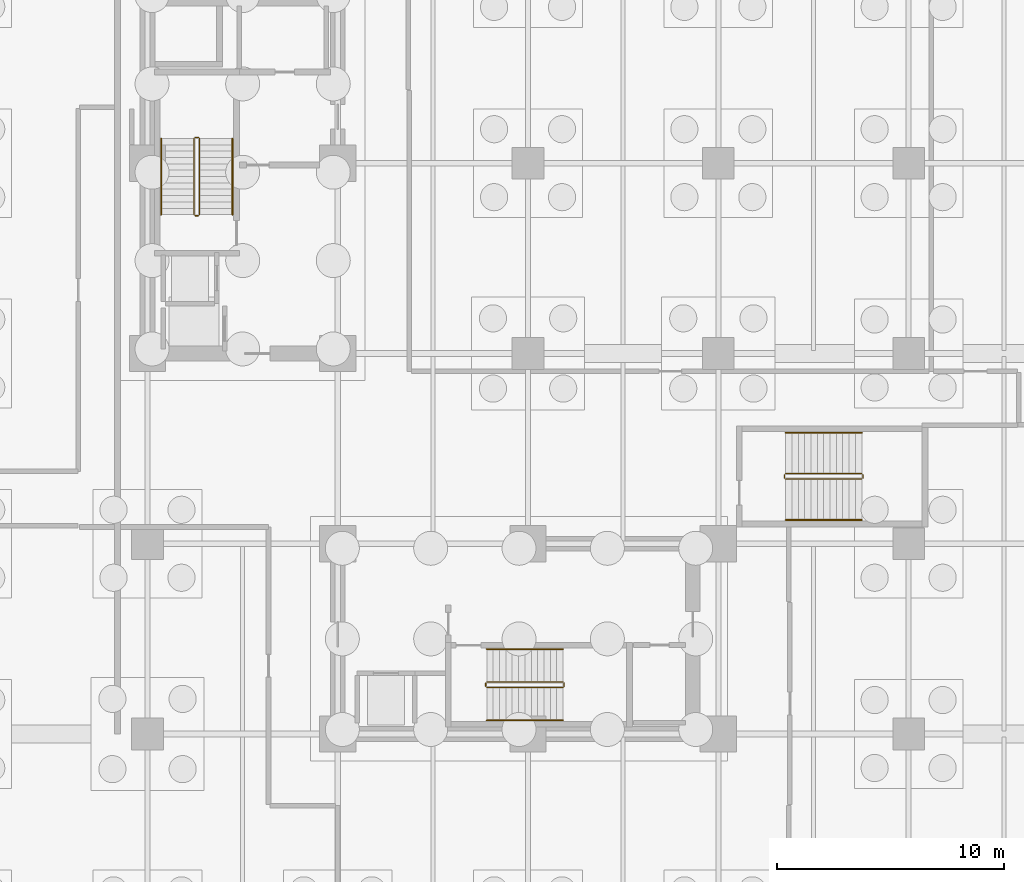
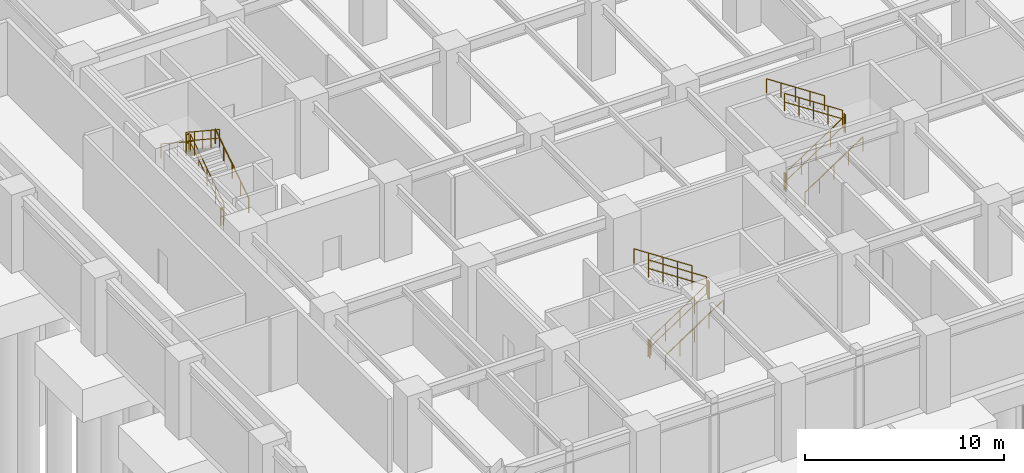
# One storey, part 8 of 9: 18 railings.
"""IFC4 building model written with IfcOpenShell, lengths in metres."""

from ifc_helpers import new_model, si_unit, direction, frame, origin, origin_2d, place, context, subcontext, project, spatial, circle, extrude, material, type_object, element, save


model = new_model("IFC4")

# Units and contexts
model_context = context("Model", 3, precision=1e-05, world=origin(), true_north=direction((0.0, 1.0)))
body_context = subcontext(model_context, "Body", "Model", "MODEL_VIEW")
ifc_project = project(units=[si_unit("LENGTHUNIT", "METRE"), si_unit("AREAUNIT", "SQUARE_METRE"), si_unit("VOLUMEUNIT", "CUBIC_METRE"), si_unit("PLANEANGLEUNIT", "RADIAN"), si_unit("MASSUNIT", "GRAM", prefix="KILO")], contexts=[model_context])

# Site, building, storey
site_placement = place(None, origin())
site = spatial("IfcSite", under=ifc_project, at=site_placement, CompositionType="ELEMENT")
building_placement = place(site_placement, origin())
building = spatial("IfcBuilding", under=site, at=building_placement, Name="Nerrivon Quay Data Exchange", CompositionType="ELEMENT")
storey_placement = place(building_placement, frame((0.0, 0.0, -9.60009765625)))
storey = spatial("IfcBuildingStorey", under=building, at=storey_placement, Name="B02", CompositionType="ELEMENT", Elevation=-9.60009765625)

# Railings
ifc_material = material(Name="Steel Grade C350L0 (350 MPa)", Category="steel")
railing_type_1 = type_object("IfcRailingType", Name="RAIL-HAND-HR1", PredefinedType="HANDRAIL", material=ifc_material)
railing_1_placement = place(storey_placement, frame((12.14990234375, 31.330078125, 0.184814453125)))
element("IfcRailing", 1, at=railing_1_placement, inside=storey, type_object=railing_type_1, Name="B02 ST01 stair handrail 1", PredefinedType="HANDRAIL", context=body_context, shape_type="SweptSolid", body=[
    extrude(circle(Radius=0.02392578125, at=origin_2d()), frame((0.0, 0.0, 0.8759765625), z_axis=(0.0, 0.834858096282, 0.550465220583), x_axis=(-1.0, 0.0, 0.0)), (0.0, 0.0, 1.0), 4.0244140625),
    extrude(circle(Radius=0.02099609375, at=origin_2d()), origin(), (0.0, 0.0, 1.0), 0.851806640625),
    extrude(circle(Radius=0.02099609375, at=origin_2d()), frame((0.0, 0.83984375, 0.5537109375)), (0.0, 0.0, 1.0), 0.851806640625),
    extrude(circle(Radius=0.02099609375, at=origin_2d()), frame((0.0, 1.679931640625, 1.107666015625)), (0.0, 0.0, 1.0), 0.851806640625),
    extrude(circle(Radius=0.02099609375, at=origin_2d()), frame((0.0, 2.52001953125, 1.66162109375)), (0.0, 0.0, 1.0), 0.851806640625),
    extrude(circle(Radius=0.02099609375, at=origin_2d()), frame((0.0, 3.35986328125, 2.21533203125)), (0.0, 0.0, 1.0), 0.851806640625),
])
railing_2_placement = place(storey_placement, frame((9.0, 34.68994140625, 2.584716796875)))
element("IfcRailing", 2, at=railing_2_placement, inside=storey, type_object=railing_type_1, Name="B02 ST01 stair handrail 2", PredefinedType="HANDRAIL", context=body_context, shape_type="SweptSolid", body=[
    extrude(circle(Radius=0.02392578125, at=origin_2d()), frame((0.0, 0.0, 0.8759765625), z_axis=(0.0, -0.834858096282, 0.550465220583), x_axis=(1.0, 0.0, 0.0)), (0.0, 0.0, 1.0), 4.0244140625),
    extrude(circle(Radius=0.02099609375, at=origin_2d()), origin(), (0.0, 0.0, 1.0), 0.851806640625),
    extrude(circle(Radius=0.02099609375, at=origin_2d()), frame((0.0, -0.83984375, 0.5537109375)), (0.0, 0.0, 1.0), 0.851806640625),
    extrude(circle(Radius=0.02099609375, at=origin_2d()), frame((0.0, -1.679931640625, 1.107666015625)), (0.0, 0.0, 1.0), 0.851806640625),
    extrude(circle(Radius=0.02099609375, at=origin_2d()), frame((0.0, -2.52001953125, 1.66162109375)), (0.0, 0.0, 1.0), 0.851806640625),
    extrude(circle(Radius=0.02099609375, at=origin_2d()), frame((0.0, -3.35986328125, 2.21533203125)), (0.0, 0.0, 1.0), 0.851806640625),
])
railing_3_placement = place(storey_placement, frame((23.3798828125, 9.0, 0.184814453125)))
element("IfcRailing", 3, at=railing_3_placement, inside=storey, type_object=railing_type_1, Name="B02 ST02 stair handrail 1", PredefinedType="HANDRAIL", context=body_context, shape_type="SweptSolid", body=[
    extrude(circle(Radius=0.02392578125, at=origin_2d()), frame((0.0, 0.0, 0.8759765625), z_axis=(0.834876476806, 0.0, 0.550437342915), x_axis=(0.0, 1.0, 0.0)), (0.0, 0.0, 1.0), 4.024658203125),
    extrude(circle(Radius=0.02099609375, at=origin_2d()), origin(), (0.0, 0.0, 1.0), 0.851806640625),
    extrude(circle(Radius=0.02099609375, at=origin_2d()), frame((0.840087890625, 0.0, 0.5537109375)), (0.0, 0.0, 1.0), 0.851806640625),
    extrude(circle(Radius=0.02099609375, at=origin_2d()), frame((1.68017578125, 0.0, 1.107666015625)), (0.0, 0.0, 1.0), 0.851806640625),
    extrude(circle(Radius=0.02099609375, at=origin_2d()), frame((2.52001953125, 0.0, 1.66162109375)), (0.0, 0.0, 1.0), 0.851806640625),
    extrude(circle(Radius=0.02099609375, at=origin_2d()), frame((3.360107421875, 0.0, 2.21533203125)), (0.0, 0.0, 1.0), 0.851806640625),
])
railing_4_placement = place(storey_placement, frame((26.739990234375, 12.14990234375, 2.584716796875)))
element("IfcRailing", 4, at=railing_4_placement, inside=storey, type_object=railing_type_1, Name="B02 ST02 stair handrail 2", PredefinedType="HANDRAIL", context=body_context, shape_type="SweptSolid", body=[
    extrude(circle(Radius=0.02392578125, at=origin_2d()), frame((0.0, 0.0, 0.8759765625), z_axis=(-0.834876476806, 0.0, 0.550437342915), x_axis=(0.0, -1.0, 0.0)), (0.0, 0.0, 1.0), 4.024658203125),
    extrude(circle(Radius=0.02099609375, at=origin_2d()), origin(), (0.0, 0.0, 1.0), 0.851806640625),
    extrude(circle(Radius=0.02099609375, at=origin_2d()), frame((-0.840087890625, 0.0, 0.5537109375)), (0.0, 0.0, 1.0), 0.851806640625),
    extrude(circle(Radius=0.02099609375, at=origin_2d()), frame((-1.68017578125, 0.0, 1.107666015625)), (0.0, 0.0, 1.0), 0.851806640625),
    extrude(circle(Radius=0.02099609375, at=origin_2d()), frame((-2.52001953125, 0.0, 1.66162109375)), (0.0, 0.0, 1.0), 0.851806640625),
    extrude(circle(Radius=0.02099609375, at=origin_2d()), frame((-3.360107421875, 0.0, 2.21533203125)), (0.0, 0.0, 1.0), 0.851806640625),
])
railing_5_placement = place(storey_placement, frame((36.570068359375, 17.85009765625, 0.184814453125)))
element("IfcRailing", 5, at=railing_5_placement, inside=storey, type_object=railing_type_1, Name="B02 ST03 stair handrail 1", PredefinedType="HANDRAIL", context=body_context, shape_type="SweptSolid", body=[
    extrude(circle(Radius=0.02392578125, at=origin_2d()), frame((0.0, 0.0, 0.8759765625), z_axis=(0.834858096282, 0.0, 0.550465220583), x_axis=(0.0, 1.0, 0.0)), (0.0, 0.0, 1.0), 4.0244140625),
    extrude(circle(Radius=0.02099609375, at=origin_2d()), origin(), (0.0, 0.0, 1.0), 0.851806640625),
    extrude(circle(Radius=0.02099609375, at=origin_2d()), frame((0.83984375, 0.0, 0.5537109375)), (0.0, 0.0, 1.0), 0.851806640625),
    extrude(circle(Radius=0.02099609375, at=origin_2d()), frame((1.679931640625, 0.0, 1.107666015625)), (0.0, 0.0, 1.0), 0.851806640625),
    extrude(circle(Radius=0.02099609375, at=origin_2d()), frame((2.52001953125, 0.0, 1.66162109375)), (0.0, 0.0, 1.0), 0.851806640625),
    extrude(circle(Radius=0.02099609375, at=origin_2d()), frame((3.35986328125, 0.0, 2.21533203125)), (0.0, 0.0, 1.0), 0.851806640625),
])
railing_6_placement = place(storey_placement, frame((39.929931640625, 21.699951171875, 2.584716796875)))
element("IfcRailing", 6, at=railing_6_placement, inside=storey, type_object=railing_type_1, Name="B02 ST03 stair handrail 2", PredefinedType="HANDRAIL", context=body_context, shape_type="SweptSolid", body=[
    extrude(circle(Radius=0.02392578125, at=origin_2d()), frame((0.0, 0.0, 0.8759765625), z_axis=(-0.834858096282, 0.0, 0.550465220583), x_axis=(0.0, -1.0, 0.0)), (0.0, 0.0, 1.0), 4.0244140625),
    extrude(circle(Radius=0.02099609375, at=origin_2d()), origin(), (0.0, 0.0, 1.0), 0.851806640625),
    extrude(circle(Radius=0.02099609375, at=origin_2d()), frame((-0.83984375, 0.0, 0.5537109375)), (0.0, 0.0, 1.0), 0.851806640625),
    extrude(circle(Radius=0.02099609375, at=origin_2d()), frame((-1.679931640625, 0.0, 1.107666015625)), (0.0, 0.0, 1.0), 0.851806640625),
    extrude(circle(Radius=0.02099609375, at=origin_2d()), frame((-2.52001953125, 0.0, 1.66162109375)), (0.0, 0.0, 1.0), 0.851806640625),
    extrude(circle(Radius=0.02099609375, at=origin_2d()), frame((-3.35986328125, 0.0, 2.21533203125)), (0.0, 0.0, 1.0), 0.851806640625),
])
railing_type_2 = type_object("IfcRailingType", Name="RAIL-STAIR-GR1", PredefinedType="BALUSTRADE", material=ifc_material)
railing_7_placement = place(storey_placement, frame((10.699951171875, 31.330078125, 0.184814453125)))
element("IfcRailing", 7, at=railing_7_placement, inside=storey, type_object=railing_type_2, Name="B02 ST01 stair guard 1", PredefinedType="BALUSTRADE", context=body_context, shape_type="SweptSolid", body=[
    extrude(circle(Radius=0.02392578125, at=origin_2d()), frame((0.0, 0.0, 1.076171875), z_axis=(0.0, 0.834858096282, 0.550465220583), x_axis=(-1.0, 0.0, 0.0)), (0.0, 0.0, 1.0), 4.0244140625),
    extrude(circle(Radius=0.02392578125, at=origin_2d()), frame((0.0, 0.0, 0.550048828125), z_axis=(0.0, 0.834858096282, 0.550465220583), x_axis=(-1.0, 0.0, 0.0)), (0.0, 0.0, 1.0), 4.0244140625),
    extrude(circle(Radius=0.02099609375, at=origin_2d()), origin(), (0.0, 0.0, 1.0), 1.052001953125),
    extrude(circle(Radius=0.02099609375, at=origin_2d()), frame((0.0, 0.83984375, 0.5537109375)), (0.0, 0.0, 1.0), 1.052001953125),
    extrude(circle(Radius=0.02099609375, at=origin_2d()), frame((0.0, 1.679931640625, 1.107666015625)), (0.0, 0.0, 1.0), 1.052001953125),
    extrude(circle(Radius=0.02099609375, at=origin_2d()), frame((0.0, 2.52001953125, 1.66162109375)), (0.0, 0.0, 1.0), 1.052001953125),
    extrude(circle(Radius=0.02099609375, at=origin_2d()), frame((0.0, 3.35986328125, 2.21533203125)), (0.0, 0.0, 1.0), 1.052001953125),
])
railing_8_placement = place(storey_placement, frame((10.64990234375, 34.739990234375, 2.400146484375)))
element("IfcRailing", 8, at=railing_8_placement, inside=storey, type_object=railing_type_2, Name="B02 ST01 stair guard 2", PredefinedType="BALUSTRADE", context=body_context, shape_type="SweptSolid", body=[
    extrude(circle(Radius=0.02392578125, at=origin_2d()), frame((0.0, 0.0, 1.076171875), z_axis=(-1.0, 0.0, 0.0), x_axis=(0.0, -1.0, 0.0)), (0.0, 0.0, 1.0), 0.14990234375),
    extrude(circle(Radius=0.02392578125, at=origin_2d()), frame((0.0, 0.0, 0.550048828125), z_axis=(-1.0, 0.0, 0.0), x_axis=(0.0, -1.0, 0.0)), (0.0, 0.0, 1.0), 0.14990234375),
    extrude(circle(Radius=0.02099609375, at=origin_2d()), origin(), (0.0, 0.0, 1.0), 1.052001953125),
    extrude(circle(Radius=0.02099609375, at=origin_2d()), frame((-0.14990234375, 0.0, 0.0)), (0.0, 0.0, 1.0), 1.052001953125),
])
railing_9_placement = place(storey_placement, frame((10.449951171875, 34.68994140625, 2.584716796875)))
element("IfcRailing", 9, at=railing_9_placement, inside=storey, type_object=railing_type_2, Name="B02 ST01 stair guard 3", PredefinedType="BALUSTRADE", context=body_context, shape_type="SweptSolid", body=[
    extrude(circle(Radius=0.02392578125, at=origin_2d()), frame((0.0, 0.0, 1.076171875), z_axis=(0.0, -0.834858096282, 0.550465220583), x_axis=(1.0, 0.0, 0.0)), (0.0, 0.0, 1.0), 4.0244140625),
    extrude(circle(Radius=0.02392578125, at=origin_2d()), frame((0.0, 0.0, 0.550048828125), z_axis=(0.0, -0.834858096282, 0.550465220583), x_axis=(1.0, 0.0, 0.0)), (0.0, 0.0, 1.0), 4.0244140625),
    extrude(circle(Radius=0.02099609375, at=origin_2d()), origin(), (0.0, 0.0, 1.0), 1.052001953125),
    extrude(circle(Radius=0.02099609375, at=origin_2d()), frame((0.0, -0.83984375, 0.5537109375)), (0.0, 0.0, 1.0), 1.052001953125),
    extrude(circle(Radius=0.02099609375, at=origin_2d()), frame((0.0, -1.679931640625, 1.107666015625)), (0.0, 0.0, 1.0), 1.052001953125),
    extrude(circle(Radius=0.02099609375, at=origin_2d()), frame((0.0, -2.52001953125, 1.66162109375)), (0.0, 0.0, 1.0), 1.052001953125),
    extrude(circle(Radius=0.02099609375, at=origin_2d()), frame((0.0, -3.35986328125, 2.21533203125)), (0.0, 0.0, 1.0), 1.052001953125),
])
railing_10_placement = place(storey_placement, frame((10.64990234375, 31.280029296875, 0.0)))
element("IfcRailing", 10, at=railing_10_placement, inside=storey, type_object=railing_type_2, Name="B02 ST01 stair guard 4", PredefinedType="BALUSTRADE", context=body_context, shape_type="SweptSolid", body=[
    extrude(circle(Radius=0.02392578125, at=origin_2d()), frame((0.0, 0.0, 1.076171875), z_axis=(-1.0, 0.0, 0.0), x_axis=(0.0, -1.0, 0.0)), (0.0, 0.0, 1.0), 0.14990234375),
    extrude(circle(Radius=0.02392578125, at=origin_2d()), frame((0.0, 0.0, 0.550048828125), z_axis=(-1.0, 0.0, 0.0), x_axis=(0.0, -1.0, 0.0)), (0.0, 0.0, 1.0), 0.14990234375),
    extrude(circle(Radius=0.02099609375, at=origin_2d()), origin(), (0.0, 0.0, 1.0), 1.052001953125),
    extrude(circle(Radius=0.02099609375, at=origin_2d()), frame((-0.14990234375, 0.0, 0.0)), (0.0, 0.0, 1.0), 1.052001953125),
])
railing_11_placement = place(storey_placement, frame((23.3798828125, 10.449951171875, 0.184814453125)))
element("IfcRailing", 11, at=railing_11_placement, inside=storey, type_object=railing_type_2, Name="B02 ST02 stair guard 1", PredefinedType="BALUSTRADE", context=body_context, shape_type="SweptSolid", body=[
    extrude(circle(Radius=0.02392578125, at=origin_2d()), frame((0.0, 0.0, 1.076171875), z_axis=(0.834876476806, 0.0, 0.550437342915), x_axis=(0.0, 1.0, 0.0)), (0.0, 0.0, 1.0), 4.024658203125),
    extrude(circle(Radius=0.02392578125, at=origin_2d()), frame((0.0, 0.0, 0.550048828125), z_axis=(0.834876476806, 0.0, 0.550437342915), x_axis=(0.0, 1.0, 0.0)), (0.0, 0.0, 1.0), 4.024658203125),
    extrude(circle(Radius=0.02099609375, at=origin_2d()), origin(), (0.0, 0.0, 1.0), 1.052001953125),
    extrude(circle(Radius=0.02099609375, at=origin_2d()), frame((0.840087890625, 0.0, 0.5537109375)), (0.0, 0.0, 1.0), 1.052001953125),
    extrude(circle(Radius=0.02099609375, at=origin_2d()), frame((1.68017578125, 0.0, 1.107666015625)), (0.0, 0.0, 1.0), 1.052001953125),
    extrude(circle(Radius=0.02099609375, at=origin_2d()), frame((2.52001953125, 0.0, 1.66162109375)), (0.0, 0.0, 1.0), 1.052001953125),
    extrude(circle(Radius=0.02099609375, at=origin_2d()), frame((3.360107421875, 0.0, 2.21533203125)), (0.0, 0.0, 1.0), 1.052001953125),
])
railing_12_placement = place(storey_placement, frame((26.7900390625, 10.5, 2.400146484375)))
element("IfcRailing", 12, at=railing_12_placement, inside=storey, type_object=railing_type_2, Name="B02 ST02 stair guard 2", PredefinedType="BALUSTRADE", context=body_context, shape_type="SweptSolid", body=[
    extrude(circle(Radius=0.02392578125, at=origin_2d()), frame((0.0, 0.0, 1.076171875), z_axis=(0.0, 1.0, 0.0), x_axis=(-1.0, 0.0, 0.0)), (0.0, 0.0, 1.0), 0.14990234375),
    extrude(circle(Radius=0.02392578125, at=origin_2d()), frame((0.0, 0.0, 0.550048828125), z_axis=(0.0, 1.0, 0.0), x_axis=(-1.0, 0.0, 0.0)), (0.0, 0.0, 1.0), 0.14990234375),
    extrude(circle(Radius=0.02099609375, at=origin_2d()), origin(), (0.0, 0.0, 1.0), 1.052001953125),
    extrude(circle(Radius=0.02099609375, at=origin_2d()), frame((0.0, 0.14990234375, 0.0)), (0.0, 0.0, 1.0), 1.052001953125),
])
railing_13_placement = place(storey_placement, frame((26.739990234375, 10.699951171875, 2.584716796875)))
element("IfcRailing", 13, at=railing_13_placement, inside=storey, type_object=railing_type_2, Name="B02 ST02 stair guard 3", PredefinedType="BALUSTRADE", context=body_context, shape_type="SweptSolid", body=[
    extrude(circle(Radius=0.02392578125, at=origin_2d()), frame((0.0, 0.0, 1.076171875), z_axis=(-0.834876476806, 0.0, 0.550437342915), x_axis=(0.0, -1.0, 0.0)), (0.0, 0.0, 1.0), 4.024658203125),
    extrude(circle(Radius=0.02392578125, at=origin_2d()), frame((0.0, 0.0, 0.550048828125), z_axis=(-0.834876476806, 0.0, 0.550437342915), x_axis=(0.0, -1.0, 0.0)), (0.0, 0.0, 1.0), 4.024658203125),
    extrude(circle(Radius=0.02099609375, at=origin_2d()), origin(), (0.0, 0.0, 1.0), 1.052001953125),
    extrude(circle(Radius=0.02099609375, at=origin_2d()), frame((-0.840087890625, 0.0, 0.5537109375)), (0.0, 0.0, 1.0), 1.052001953125),
    extrude(circle(Radius=0.02099609375, at=origin_2d()), frame((-1.68017578125, 0.0, 1.107666015625)), (0.0, 0.0, 1.0), 1.052001953125),
    extrude(circle(Radius=0.02099609375, at=origin_2d()), frame((-2.52001953125, 0.0, 1.66162109375)), (0.0, 0.0, 1.0), 1.052001953125),
    extrude(circle(Radius=0.02099609375, at=origin_2d()), frame((-3.360107421875, 0.0, 2.21533203125)), (0.0, 0.0, 1.0), 1.052001953125),
])
railing_14_placement = place(storey_placement, frame((23.330078125, 10.5, 0.0)))
element("IfcRailing", 14, at=railing_14_placement, inside=storey, type_object=railing_type_2, Name="B02 ST02 stair guard 4", PredefinedType="BALUSTRADE", context=body_context, shape_type="SweptSolid", body=[
    extrude(circle(Radius=0.02392578125, at=origin_2d()), frame((0.0, 0.0, 1.076171875), z_axis=(0.0, 1.0, 0.0), x_axis=(-1.0, 0.0, 0.0)), (0.0, 0.0, 1.0), 0.14990234375),
    extrude(circle(Radius=0.02392578125, at=origin_2d()), frame((0.0, 0.0, 0.550048828125), z_axis=(0.0, 1.0, 0.0), x_axis=(-1.0, 0.0, 0.0)), (0.0, 0.0, 1.0), 0.14990234375),
    extrude(circle(Radius=0.02099609375, at=origin_2d()), origin(), (0.0, 0.0, 1.0), 1.052001953125),
    extrude(circle(Radius=0.02099609375, at=origin_2d()), frame((0.0, 0.14990234375, 0.0)), (0.0, 0.0, 1.0), 1.052001953125),
])
railing_15_placement = place(storey_placement, frame((36.570068359375, 19.64990234375, 0.184814453125)))
element("IfcRailing", 15, at=railing_15_placement, inside=storey, type_object=railing_type_2, Name="B02 ST03 stair guard 1", PredefinedType="BALUSTRADE", context=body_context, shape_type="SweptSolid", body=[
    extrude(circle(Radius=0.02392578125, at=origin_2d()), frame((0.0, 0.0, 1.076171875), z_axis=(0.834858096282, 0.0, 0.550465220583), x_axis=(0.0, 1.0, 0.0)), (0.0, 0.0, 1.0), 4.0244140625),
    extrude(circle(Radius=0.02392578125, at=origin_2d()), frame((0.0, 0.0, 0.550048828125), z_axis=(0.834858096282, 0.0, 0.550465220583), x_axis=(0.0, 1.0, 0.0)), (0.0, 0.0, 1.0), 4.0244140625),
    extrude(circle(Radius=0.02099609375, at=origin_2d()), origin(), (0.0, 0.0, 1.0), 1.052001953125),
    extrude(circle(Radius=0.02099609375, at=origin_2d()), frame((0.83984375, 0.0, 0.5537109375)), (0.0, 0.0, 1.0), 1.052001953125),
    extrude(circle(Radius=0.02099609375, at=origin_2d()), frame((1.679931640625, 0.0, 1.107666015625)), (0.0, 0.0, 1.0), 1.052001953125),
    extrude(circle(Radius=0.02099609375, at=origin_2d()), frame((2.52001953125, 0.0, 1.66162109375)), (0.0, 0.0, 1.0), 1.052001953125),
    extrude(circle(Radius=0.02099609375, at=origin_2d()), frame((3.35986328125, 0.0, 2.21533203125)), (0.0, 0.0, 1.0), 1.052001953125),
])
railing_16_placement = place(storey_placement, frame((39.97998046875, 19.699951171875, 2.400146484375)))
element("IfcRailing", 16, at=railing_16_placement, inside=storey, type_object=railing_type_2, Name="B02 ST03 stair guard 2", PredefinedType="BALUSTRADE", context=body_context, shape_type="SweptSolid", body=[
    extrude(circle(Radius=0.02392578125, at=origin_2d()), frame((0.0, 0.0, 1.076171875), z_axis=(0.0, 1.0, 0.0), x_axis=(-1.0, 0.0, 0.0)), (0.0, 0.0, 1.0), 0.150146484375),
    extrude(circle(Radius=0.02392578125, at=origin_2d()), frame((0.0, 0.0, 0.550048828125), z_axis=(0.0, 1.0, 0.0), x_axis=(-1.0, 0.0, 0.0)), (0.0, 0.0, 1.0), 0.150146484375),
    extrude(circle(Radius=0.02099609375, at=origin_2d()), origin(), (0.0, 0.0, 1.0), 1.052001953125),
    extrude(circle(Radius=0.02099609375, at=origin_2d()), frame((0.0, 0.150146484375, 0.0)), (0.0, 0.0, 1.0), 1.052001953125),
])
railing_17_placement = place(storey_placement, frame((39.929931640625, 19.89990234375, 2.584716796875)))
element("IfcRailing", 17, at=railing_17_placement, inside=storey, type_object=railing_type_2, Name="B02 ST03 stair guard 3", PredefinedType="BALUSTRADE", context=body_context, shape_type="SweptSolid", body=[
    extrude(circle(Radius=0.02392578125, at=origin_2d()), frame((0.0, 0.0, 1.076171875), z_axis=(-0.834858096282, 0.0, 0.550465220583), x_axis=(0.0, -1.0, 0.0)), (0.0, 0.0, 1.0), 4.0244140625),
    extrude(circle(Radius=0.02392578125, at=origin_2d()), frame((0.0, 0.0, 0.550048828125), z_axis=(-0.834858096282, 0.0, 0.550465220583), x_axis=(0.0, -1.0, 0.0)), (0.0, 0.0, 1.0), 4.0244140625),
    extrude(circle(Radius=0.02099609375, at=origin_2d()), origin(), (0.0, 0.0, 1.0), 1.052001953125),
    extrude(circle(Radius=0.02099609375, at=origin_2d()), frame((-0.83984375, 0.0, 0.5537109375)), (0.0, 0.0, 1.0), 1.052001953125),
    extrude(circle(Radius=0.02099609375, at=origin_2d()), frame((-1.679931640625, 0.0, 1.107666015625)), (0.0, 0.0, 1.0), 1.052001953125),
    extrude(circle(Radius=0.02099609375, at=origin_2d()), frame((-2.52001953125, 0.0, 1.66162109375)), (0.0, 0.0, 1.0), 1.052001953125),
    extrude(circle(Radius=0.02099609375, at=origin_2d()), frame((-3.35986328125, 0.0, 2.21533203125)), (0.0, 0.0, 1.0), 1.052001953125),
])
railing_18_placement = place(storey_placement, frame((36.52001953125, 19.699951171875, 0.0)))
element("IfcRailing", 18, at=railing_18_placement, inside=storey, type_object=railing_type_2, Name="B02 ST03 stair guard 4", PredefinedType="BALUSTRADE", context=body_context, shape_type="SweptSolid", body=[
    extrude(circle(Radius=0.02392578125, at=origin_2d()), frame((0.0, 0.0, 1.076171875), z_axis=(0.0, 1.0, 0.0), x_axis=(-1.0, 0.0, 0.0)), (0.0, 0.0, 1.0), 0.150146484375),
    extrude(circle(Radius=0.02392578125, at=origin_2d()), frame((0.0, 0.0, 0.550048828125), z_axis=(0.0, 1.0, 0.0), x_axis=(-1.0, 0.0, 0.0)), (0.0, 0.0, 1.0), 0.150146484375),
    extrude(circle(Radius=0.02099609375, at=origin_2d()), origin(), (0.0, 0.0, 1.0), 1.052001953125),
    extrude(circle(Radius=0.02099609375, at=origin_2d()), frame((0.0, 0.150146484375, 0.0)), (0.0, 0.0, 1.0), 1.052001953125),
])

save(model, "model.ifc")
